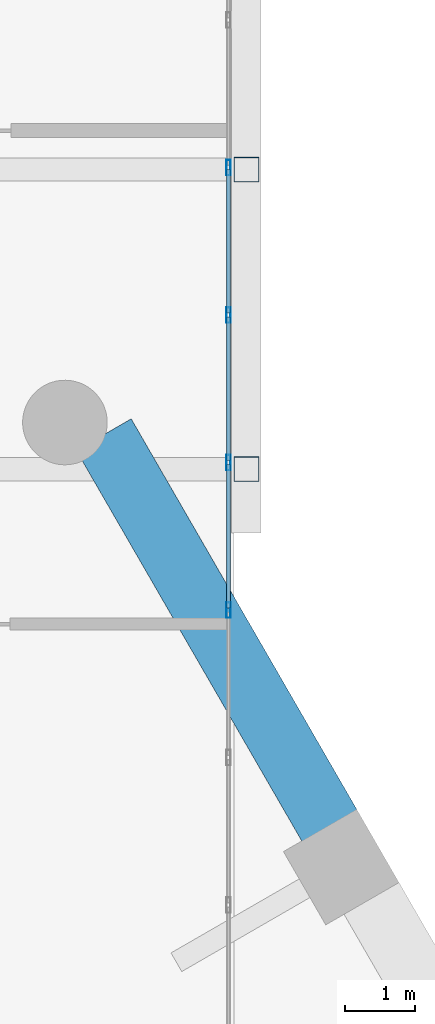
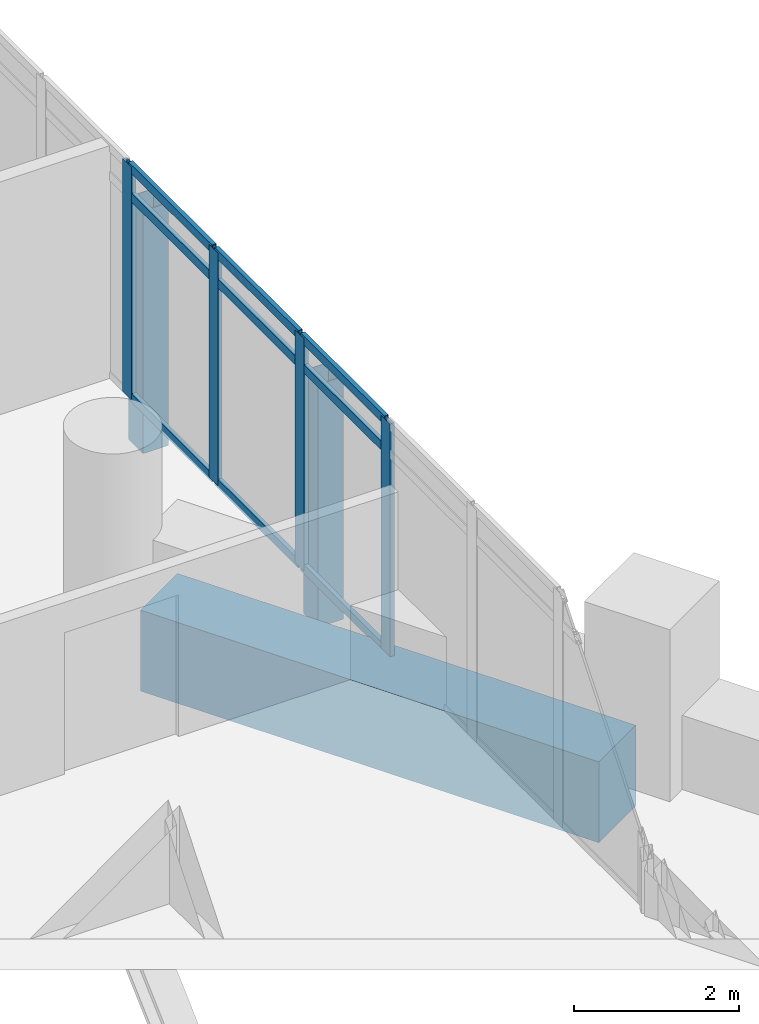
# One storey, part 24 of 37: 15 members, 1 beam, 1 element without a shape of its own.
"""IFC4 building model written with IfcOpenShell, lengths in metres."""

from ifc_helpers import new_model, si_unit, direction, frame, origin, origin_2d, place, context, subcontext, project, spatial, rectangle, hollow_rectangle, extrude, material, material_profile, profile_set, type_object, element, aggregate, save


model = new_model("IFC4")

# Units and contexts
model_context = context("Model", 3, precision=1e-05, world=origin(), true_north=direction((0.0, 1.0)))
body_context = subcontext(model_context, "Body", "Model", "MODEL_VIEW")
ifc_project = project(units=[si_unit("LENGTHUNIT", "METRE"), si_unit("AREAUNIT", "SQUARE_METRE"), si_unit("VOLUMEUNIT", "CUBIC_METRE"), si_unit("PLANEANGLEUNIT", "RADIAN"), si_unit("MASSUNIT", "GRAM", prefix="KILO")], contexts=[model_context])

# Site, building, storey
site_placement = place(None, origin())
site = spatial("IfcSite", under=ifc_project, at=site_placement, CompositionType="ELEMENT")
building_placement = place(site_placement, origin())
building = spatial("IfcBuilding", under=site, at=building_placement, Name="Ostrander Bayou Hotel Tower", CompositionType="ELEMENT")
storey_placement = place(building_placement, frame((0.0, 0.0, 93.0)))
storey = spatial("IfcBuildingStorey", under=building, at=storey_placement, Name="L23", CompositionType="ELEMENT", Elevation=93.0)

# Curtain wall, members
ifc_material_1 = material(Name="Aluminium and clear glass", Category="aluminium")
curtain_wall_type = type_object("IfcCurtainWallType", Name="CW-BAR glazed wall", PredefinedType="NOTDEFINED", material=ifc_material_1)
curtain_wall_placement = place(storey_placement, origin())
curtain_wall = element("IfcCurtainWall", 1, at=curtain_wall_placement, inside=storey, type_object=curtain_wall_type, Name="CW-BAR L23:SB2N:W", PredefinedType="NOTDEFINED")
ifc_material_2 = material(Name="Aluminium", Category="aluminium")
ifc_material_profile_1 = material_profile(ifc_material_2, hollow_rectangle(XDim=0.06005859375, YDim=0.219970703125, WallThickness=0.00390625, at=origin_2d()))
ifc_profile_set_1 = profile_set([ifc_material_profile_1], Name="Aluminium")
member_type_1 = type_object("IfcMemberType", Name="CW-BR mullion 60 x 220 mm", PredefinedType="MULLION", material=ifc_profile_set_1)
member_1_placement = place(storey_placement, frame((13.3671875, 16.797607421875, 0.0), z_axis=(0.0, 0.0, 1.0), x_axis=(-1.0, 0.0, 0.0)))
member_1 = element("IfcMember", 2, at=member_1_placement, type_object=member_type_1, Name="CW-BAR mullion 4", PredefinedType="MULLION", context=body_context, shape_type="SweptSolid", body=[
    extrude(hollow_rectangle(XDim=0.06005859375, YDim=0.219970703125, WallThickness=0.00390625, at=origin_2d()), origin(), (0.0, 0.0, 1.0), 3.449951171875),
])
member_2_placement = place(storey_placement, frame((13.3671875, 18.89013671875, 0.0), z_axis=(0.0, 0.0, 1.0), x_axis=(-1.0, 0.0, 0.0)))
member_2 = element("IfcMember", 3, at=member_2_placement, type_object=member_type_1, Name="CW-BAR mullion 5", PredefinedType="MULLION", context=body_context, shape_type="SweptSolid", body=[
    extrude(hollow_rectangle(XDim=0.06005859375, YDim=0.219970703125, WallThickness=0.00390625, at=origin_2d()), origin(), (0.0, 0.0, 1.0), 3.449951171875),
])
member_3_placement = place(storey_placement, frame((13.3671875, 20.982666015625, 0.0), z_axis=(0.0, 0.0, 1.0), x_axis=(-1.0, 0.0, 0.0)))
member_3 = element("IfcMember", 4, at=member_3_placement, type_object=member_type_1, Name="CW-BAR mullion 6", PredefinedType="MULLION", context=body_context, shape_type="SweptSolid", body=[
    extrude(hollow_rectangle(XDim=0.06005859375, YDim=0.219970703125, WallThickness=0.00390625, at=origin_2d()), origin(), (0.0, 0.0, 1.0), 3.449951171875),
])
member_4_placement = place(storey_placement, frame((13.3671875, 23.0751953125, 0.0), z_axis=(0.0, 0.0, 1.0), x_axis=(-1.0, 0.0, 0.0)))
member_4 = element("IfcMember", 5, at=member_4_placement, type_object=member_type_1, Name="CW-BAR mullion 7", PredefinedType="MULLION", context=body_context, shape_type="SweptSolid", body=[
    extrude(hollow_rectangle(XDim=0.06005859375, YDim=0.219970703125, WallThickness=0.00390625, at=origin_2d()), origin(), (0.0, 0.0, 1.0), 3.449951171875),
])
ifc_material_3 = material(Name="Aluminium", Category="aluminium")
ifc_material_profile_2 = material_profile(ifc_material_3, hollow_rectangle(XDim=0.06005859375, YDim=0.1298828125, WallThickness=0.00390625, at=origin_2d()))
ifc_profile_set_2 = profile_set([ifc_material_profile_2], Name="Aluminium")
member_type_2 = type_object("IfcMemberType", Name="CW-BR transom 60 x 130 mm", PredefinedType="USERDEFINED", material=ifc_profile_set_2)
member_5_placement = place(storey_placement, frame((13.3671875, 16.82763671875, 0.030029296875), z_axis=(0.0, 1.0, 0.0), x_axis=(-1.0, 0.0, 0.0)))
member_5 = element("IfcMember", 6, at=member_5_placement, type_object=member_type_2, Name="CW-BAR transom 4.1", ObjectType="TRANSOM", PredefinedType="USERDEFINED", context=body_context, shape_type="SweptSolid", body=[
    extrude(hollow_rectangle(XDim=0.06005859375, YDim=0.1298828125, WallThickness=0.00390625, at=origin_2d()), origin(), (0.0, 0.0, 1.0), 2.032470703125),
])
member_6_placement = place(storey_placement, frame((13.3671875, 16.82763671875, 3.0), z_axis=(0.0, 1.0, 0.0), x_axis=(-1.0, 0.0, 0.0)))
member_6 = element("IfcMember", 7, at=member_6_placement, type_object=member_type_2, Name="CW-BAR transom 4.2", ObjectType="TRANSOM", PredefinedType="USERDEFINED", context=body_context, shape_type="SweptSolid", body=[
    extrude(hollow_rectangle(XDim=0.06005859375, YDim=0.1298828125, WallThickness=0.00390625, at=origin_2d()), origin(), (0.0, 0.0, 1.0), 2.032470703125),
])
member_7_placement = place(storey_placement, frame((13.3671875, 16.82763671875, 3.419921875), z_axis=(0.0, 1.0, 0.0), x_axis=(-1.0, 0.0, 0.0)))
member_7 = element("IfcMember", 8, at=member_7_placement, type_object=member_type_2, Name="CW-BAR transom 4.3", ObjectType="TRANSOM", PredefinedType="USERDEFINED", context=body_context, shape_type="SweptSolid", body=[
    extrude(hollow_rectangle(XDim=0.06005859375, YDim=0.1298828125, WallThickness=0.00390625, at=origin_2d()), origin(), (0.0, 0.0, 1.0), 2.032470703125),
])
member_8_placement = place(storey_placement, frame((13.3671875, 18.920166015625, 0.030029296875), z_axis=(0.0, 1.0, 0.0), x_axis=(-1.0, 0.0, 0.0)))
member_8 = element("IfcMember", 9, at=member_8_placement, type_object=member_type_2, Name="CW-BAR transom 5.1", ObjectType="TRANSOM", PredefinedType="USERDEFINED", context=body_context, shape_type="SweptSolid", body=[
    extrude(hollow_rectangle(XDim=0.06005859375, YDim=0.1298828125, WallThickness=0.00390625, at=origin_2d()), origin(), (0.0, 0.0, 1.0), 2.032470703125),
])
member_9_placement = place(storey_placement, frame((13.3671875, 18.920166015625, 3.0), z_axis=(0.0, 1.0, 0.0), x_axis=(-1.0, 0.0, 0.0)))
member_9 = element("IfcMember", 10, at=member_9_placement, type_object=member_type_2, Name="CW-BAR transom 5.2", ObjectType="TRANSOM", PredefinedType="USERDEFINED", context=body_context, shape_type="SweptSolid", body=[
    extrude(hollow_rectangle(XDim=0.06005859375, YDim=0.1298828125, WallThickness=0.00390625, at=origin_2d()), origin(), (0.0, 0.0, 1.0), 2.032470703125),
])
member_10_placement = place(storey_placement, frame((13.3671875, 18.920166015625, 3.419921875), z_axis=(0.0, 1.0, 0.0), x_axis=(-1.0, 0.0, 0.0)))
member_10 = element("IfcMember", 11, at=member_10_placement, type_object=member_type_2, Name="CW-BAR transom 5.3", ObjectType="TRANSOM", PredefinedType="USERDEFINED", context=body_context, shape_type="SweptSolid", body=[
    extrude(hollow_rectangle(XDim=0.06005859375, YDim=0.1298828125, WallThickness=0.00390625, at=origin_2d()), origin(), (0.0, 0.0, 1.0), 2.032470703125),
])
member_11_placement = place(storey_placement, frame((13.3671875, 21.0126953125, 0.030029296875), z_axis=(0.0, 1.0, 0.0), x_axis=(-1.0, 0.0, 0.0)))
member_11 = element("IfcMember", 12, at=member_11_placement, type_object=member_type_2, Name="CW-BAR transom 6.1", ObjectType="TRANSOM", PredefinedType="USERDEFINED", context=body_context, shape_type="SweptSolid", body=[
    extrude(hollow_rectangle(XDim=0.06005859375, YDim=0.1298828125, WallThickness=0.00390625, at=origin_2d()), origin(), (0.0, 0.0, 1.0), 2.032470703125),
])
member_12_placement = place(storey_placement, frame((13.3671875, 21.0126953125, 3.0), z_axis=(0.0, 1.0, 0.0), x_axis=(-1.0, 0.0, 0.0)))
member_12 = element("IfcMember", 13, at=member_12_placement, type_object=member_type_2, Name="CW-BAR transom 6.2", ObjectType="TRANSOM", PredefinedType="USERDEFINED", context=body_context, shape_type="SweptSolid", body=[
    extrude(hollow_rectangle(XDim=0.06005859375, YDim=0.1298828125, WallThickness=0.00390625, at=origin_2d()), origin(), (0.0, 0.0, 1.0), 2.032470703125),
])
member_13_placement = place(storey_placement, frame((13.3671875, 21.0126953125, 3.419921875), z_axis=(0.0, 1.0, 0.0), x_axis=(-1.0, 0.0, 0.0)))
member_13 = element("IfcMember", 14, at=member_13_placement, type_object=member_type_2, Name="CW-BAR transom 6.3", ObjectType="TRANSOM", PredefinedType="USERDEFINED", context=body_context, shape_type="SweptSolid", body=[
    extrude(hollow_rectangle(XDim=0.06005859375, YDim=0.1298828125, WallThickness=0.00390625, at=origin_2d()), origin(), (0.0, 0.0, 1.0), 2.032470703125),
])
aggregate(curtain_wall, [member_1, member_2, member_3, member_4, member_5, member_6, member_7, member_8, member_9, member_10, member_11, member_12, member_13])

# Beam
ifc_material_4 = material(Name="Concrete f'c 70 MPa", Category="concrete")
ifc_material_profile_3 = material_profile(ifc_material_4, rectangle(XDim=0.89990234375, YDim=1.199951171875, at=origin_2d()))
ifc_profile_set_3 = profile_set([ifc_material_profile_3], Name="Concrete f'c 70 MPa")
beam_type = type_object("IfcBeamType", Name="SP2 spandrel beam 900 x 1200 mm f'c 70 MPa", PredefinedType="SPANDREL", material=ifc_profile_set_3)
beam_placement = place(storey_placement, frame((14.810546875, 13.72021484375, -0.60009765625), z_axis=(-0.50002823779, 0.866009100075, 0.0), x_axis=(-0.866009100075, -0.50002823779, 0.0)))
element("IfcBeam", 15, at=beam_placement, inside=storey, type_object=beam_type, Name="SP2 L23 NE-3", PredefinedType="SPANDREL", context=body_context, shape_type="SweptSolid", body=[
    extrude(rectangle(XDim=0.89990234375, YDim=1.199951171875, at=origin_2d()), origin(), (0.0, 0.0, 1.0), 6.427490234375),
])

# Members
ifc_material_5 = material(Name="Steel ASTM A500 Gr C", Category="steel")
ifc_material_profile_4 = material_profile(ifc_material_5, hollow_rectangle(XDim=0.355712890625, YDim=0.355712890625, WallThickness=0.0087890625, at=origin_2d()))
ifc_profile_set_4 = profile_set([ifc_material_profile_4], Name="Steel ASTM A500 Gr C")
member_type_3 = type_object("IfcMemberType", Name="TH3 bar hanger HSS14x14x3/8", PredefinedType="POST", material=ifc_profile_set_4)
for number, where, z_axis, x_axis, name in (
    (16, (13.6201171875, 23.0458984375, -0.771728515625), (0.0, 0.0, 1.0), (1.0, 0.0, 0.0), "TH3 SB2WB H3-1"),
    (17, (13.6201171875, 18.79638671875, -0.771728515625), (0.0, 0.0, 1.0), (1.0, 0.0, 0.0), "TH3 SB2WB H4-1"),
):
    element("IfcMember", number, at=place(storey_placement, frame(where, z_axis=z_axis, x_axis=x_axis)), inside=storey, type_object=member_type_3, Name=name, PredefinedType="POST", context=body_context, shape_type="SweptSolid", body=[
        extrude(hollow_rectangle(XDim=0.355712890625, YDim=0.355712890625, WallThickness=0.0087890625, at=origin_2d()), origin(), (0.0, 0.0, 1.0), 3.599853515625),
    ])

save(model, "model.ifc")
